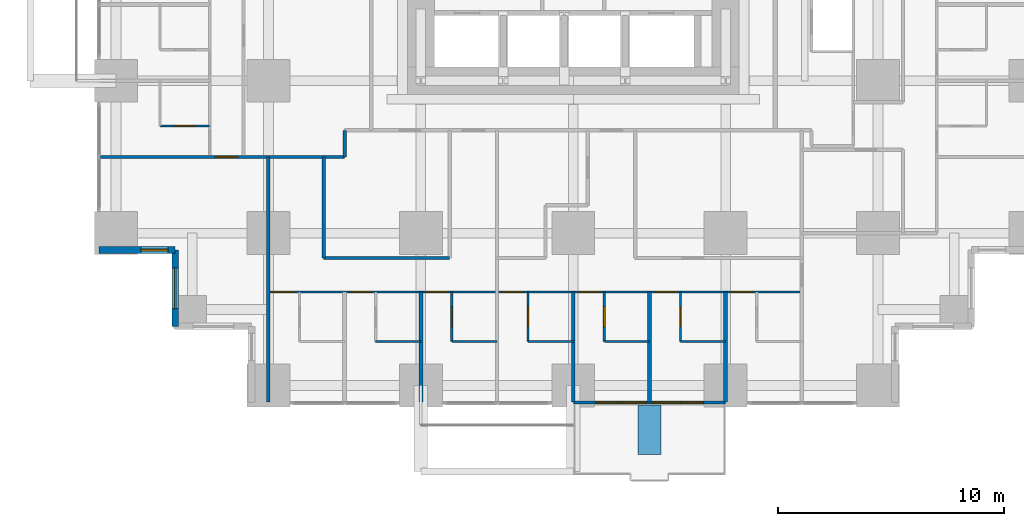
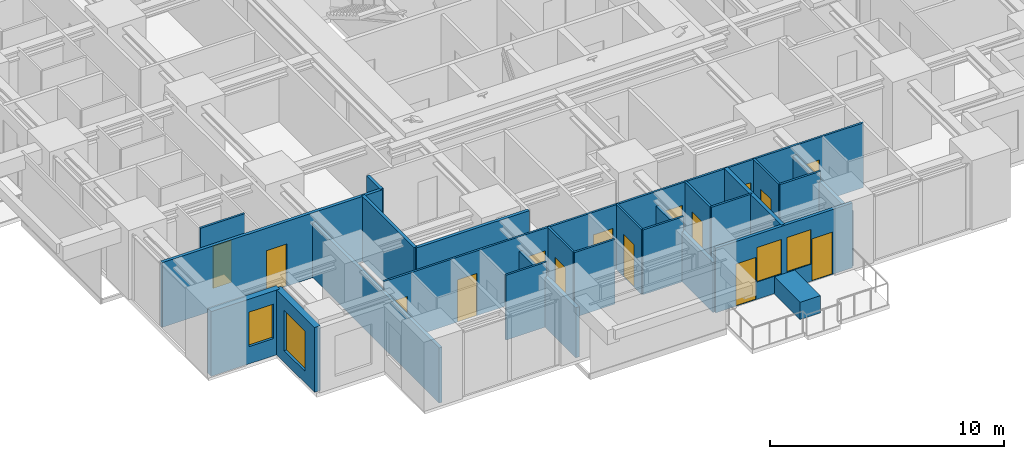
# One storey, part 8 of 15: 24 walls, 15 doors, 4 windows, 19 openings.
"""IFC4 building model written with IfcOpenShell, lengths in metres."""

from ifc_helpers import new_model, si_unit, direction, frame, frame_2d, origin, place, context, subcontext, project, spatial, rectangle, extrude, material, layer, layer_set, type_object, element, fill, save


model = new_model("IFC4")

# Units and contexts
model_context = context("Model", 3, precision=1e-05, world=origin(), true_north=direction((0.0, 1.0)))
body_context = subcontext(model_context, "Body", "Model", "MODEL_VIEW")
ifc_project = project(units=[si_unit("LENGTHUNIT", "METRE"), si_unit("AREAUNIT", "SQUARE_METRE"), si_unit("VOLUMEUNIT", "CUBIC_METRE"), si_unit("PLANEANGLEUNIT", "RADIAN"), si_unit("MASSUNIT", "GRAM", prefix="KILO")], contexts=[model_context])

# Site, building, storey
site_placement = place(None, origin())
site = spatial("IfcSite", under=ifc_project, at=site_placement, CompositionType="ELEMENT")
building_placement = place(site_placement, origin())
building = spatial("IfcBuilding", under=site, at=building_placement, Name="Nyansa Garden Tower", CompositionType="ELEMENT")
storey_placement = place(building_placement, frame((0.0, 0.0, 36.0)))
storey = spatial("IfcBuildingStorey", under=building, at=storey_placement, Name="L09", CompositionType="ELEMENT", Elevation=36.0)

# Walls
ifc_material_1 = material(Name="Dense blockwork, plastered both sides, 55 dB", Category="masonry")
ifc_layer_1 = layer(ifc_material_1, 0.175048828125)
ifc_layer_set_1 = layer_set([ifc_layer_1], Name="Acoustic party wall PW175")
wall_type_1 = type_object("IfcWallType", Name="Acoustic party wall PW175", PredefinedType="PARTITIONING", material=ifc_layer_set_1)
for number, where, z_axis, x_axis, name in (
    (1, (13.5, -0.73388671875, 0.0), (0.0, 0.0, 1.0), (0.0, 1.0, 0.0), "Party wall"),
    (2, (20.25, -0.73388671875, 0.0), (0.0, 0.0, 1.0), (0.0, 1.0, 0.0), "Party wall"),
):
    element("IfcWall", number, at=place(storey_placement, frame(where, z_axis=z_axis, x_axis=x_axis)), inside=storey, type_object=wall_type_1, Name=name, PredefinedType="PARTITIONING", context=body_context, shape_type="SweptSolid", body=[
        extrude(rectangle(XDim=4.8837890625, YDim=0.175048828125, at=frame_2d((2.44189453125, 0.0))), origin(), (0.0, 0.0, 1.0), 2.610107421875),
    ])
wall_1_placement = place(storey_placement, frame((23.625, -0.73388671875, 0.0), z_axis=(0.0, 0.0, 1.0), x_axis=(0.0, 1.0, 0.0)))
element("IfcWall", 3, at=wall_1_placement, inside=storey, type_object=wall_type_1, Name="Party wall", PredefinedType="PARTITIONING", context=body_context, shape_type="SweptSolid", body=[
    extrude(rectangle(XDim=4.8837890625, YDim=0.175048828125, at=frame_2d((2.44189453125, 0.0))), origin(), (0.0, 0.0, 1.0), 3.375),
])
wall_2_placement = place(storey_placement, frame((27.0, -0.73388671875, 0.0), z_axis=(0.0, 0.0, 1.0), x_axis=(0.0, 1.0, 0.0)))
element("IfcWall", 4, at=wall_2_placement, inside=storey, type_object=wall_type_1, Name="Party wall", PredefinedType="PARTITIONING", context=body_context, shape_type="SweptSolid", body=[
    extrude(rectangle(XDim=4.8837890625, YDim=0.175048828125, at=frame_2d((2.44189453125, 0.0))), origin(), (0.0, 0.0, 1.0), 2.876953125),
])

# Wall, openings, doors, windows
ifc_material_2 = material(Name="Black aluminium framed glazed screen", Category="aluminium")
ifc_layer_2 = layer(ifc_material_2, 0.14990234375)
ifc_layer_set_2 = layer_set([ifc_layer_2], Name="Balcony screen wall BW150")
wall_type_2 = type_object("IfcWallType", Name="Balcony screen wall BW150", PredefinedType="SOLIDWALL", material=ifc_layer_set_2)
wall_3_placement = place(storey_placement, frame((27.0, -0.75, 0.0), z_axis=(0.0, 0.0, 1.0), x_axis=(-1.0, 0.0, 0.0)))
wall_3 = element("IfcWall", 5, at=wall_3_placement, inside=storey, type_object=wall_type_2, Name="Glazed screen wall L09 S", PredefinedType="SOLIDWALL", context=body_context, shape_type="SweptSolid", body=[
    extrude(rectangle(XDim=6.75, YDim=0.14990234375, at=frame_2d((3.375, 0.0))), origin(), (0.0, 0.0, 1.0), 3.375),
])
opening_1_placement = place(wall_3_placement, frame((0.995849609375, 0.0, 0.0)))
opening_1 = element("IfcOpeningElement", 6, at=opening_1_placement, cuts=wall_3, Name="Opening D20", PredefinedType="OPENING", context=body_context, shape_type="SweptSolid", body=[
    extrude(rectangle(XDim=1.0, YDim=2.199951171875, at=frame_2d((0.5, 1.10009765625))), frame((0.0, 0.0849609375, 0.0), z_axis=(0.0, -1.0, 0.0), x_axis=(1.0, 0.0, 0.0)), (0.0, 0.0, 1.0), 0.169921875),
])
opening_2_placement = place(wall_3_placement, frame((2.041748046875, 0.0, 0.89990234375)))
opening_2 = element("IfcOpeningElement", 7, at=opening_2_placement, cuts=wall_3, Name="Opening W6", PredefinedType="OPENING", context=body_context, shape_type="SweptSolid", body=[
    extrude(rectangle(XDim=1.199951171875, YDim=1.800048828125, at=frame_2d((0.60009765625, 0.89990234375))), frame((0.0, 0.0849609375, 0.0), z_axis=(0.0, -1.0, 0.0), x_axis=(1.0, 0.0, 0.0)), (0.0, 0.0, 1.0), 0.169921875),
])
opening_3_placement = place(wall_3_placement, frame((4.754150390625, 0.0, 0.0)))
opening_3 = element("IfcOpeningElement", 8, at=opening_3_placement, cuts=wall_3, Name="Opening D20", PredefinedType="OPENING", context=body_context, shape_type="SweptSolid", body=[
    extrude(rectangle(XDim=1.0, YDim=2.199951171875, at=frame_2d((0.5, 1.10009765625))), frame((0.0, 0.0849609375, 0.0), z_axis=(0.0, -1.0, 0.0), x_axis=(1.0, 0.0, 0.0)), (0.0, 0.0, 1.0), 0.169921875),
])
opening_4_placement = place(wall_3_placement, frame((3.50830078125, 0.0, 0.89990234375)))
opening_4 = element("IfcOpeningElement", 9, at=opening_4_placement, cuts=wall_3, Name="Opening W6", PredefinedType="OPENING", context=body_context, shape_type="SweptSolid", body=[
    extrude(rectangle(XDim=1.199951171875, YDim=1.800048828125, at=frame_2d((0.60009765625, 0.89990234375))), frame((0.0, 0.0849609375, 0.0), z_axis=(0.0, -1.0, 0.0), x_axis=(1.0, 0.0, 0.0)), (0.0, 0.0, 1.0), 0.169921875),
])
ifc_material_3 = material(Name="Black aluminium framed glazed door", Category="aluminium")
door_type_1 = type_object("IfcDoorType", Name="Balcony door D20 1000x2200", OperationType="NOTDEFINED", PredefinedType="DOOR", material=ifc_material_3)
door_1_placement = place(opening_1_placement, origin())
door_1 = element("IfcDoor", 10, at=door_1_placement, inside=storey, type_object=door_type_1, Name="Balcony door L09", OperationType="SINGLE_SWING_LEFT", OverallHeight=2.199951171875, OverallWidth=1.0, PredefinedType="DOOR", context=body_context, shape_type="SweptSolid", body=[
    extrude(rectangle(XDim=1.0, YDim=2.199951171875, at=frame_2d((0.5, 1.10009765625))), frame((0.0, 0.02490234375, 0.0), z_axis=(0.0, -1.0, 0.0), x_axis=(1.0, 0.0, 0.0)), (0.0, 0.0, 1.0), 0.050048828125),
])
fill(opening_1, door_1)
door_2_placement = place(opening_3_placement, origin())
door_2 = element("IfcDoor", 11, at=door_2_placement, inside=storey, type_object=door_type_1, Name="Balcony door L09", OperationType="SINGLE_SWING_RIGHT", OverallHeight=2.199951171875, OverallWidth=1.0, PredefinedType="DOOR", context=body_context, shape_type="SweptSolid", body=[
    extrude(rectangle(XDim=1.0, YDim=2.199951171875, at=frame_2d((0.5, 1.10009765625))), frame((0.0, 0.02490234375, 0.0), z_axis=(0.0, -1.0, 0.0), x_axis=(1.0, 0.0, 0.0)), (0.0, 0.0, 1.0), 0.050048828125),
])
fill(opening_3, door_2)
ifc_material_4 = material(Name="Black aluminium frame, dark tinted double glazing", Category="aluminium")
window_type_1 = type_object("IfcWindowType", Name="Balcony window W6 1200x1800", PartitioningType="SINGLE_PANEL", PredefinedType="WINDOW", material=ifc_material_4)
window_1_placement = place(opening_2_placement, origin())
window_1 = element("IfcWindow", 12, at=window_1_placement, inside=storey, type_object=window_type_1, Name="Window L09", OverallHeight=1.800048828125, OverallWidth=1.199951171875, PartitioningType="SINGLE_PANEL", PredefinedType="WINDOW", context=body_context, shape_type="SweptSolid", body=[
    extrude(rectangle(XDim=1.199951171875, YDim=1.800048828125, at=frame_2d((0.60009765625, 0.89990234375))), frame((0.0, 0.030029296875, 0.0), z_axis=(0.0, -1.0, 0.0), x_axis=(1.0, 0.0, 0.0)), (0.0, 0.0, 1.0), 0.06005859375),
])
fill(opening_2, window_1)
window_2_placement = place(opening_4_placement, origin())
window_2 = element("IfcWindow", 13, at=window_2_placement, inside=storey, type_object=window_type_1, Name="Window L09", OverallHeight=1.800048828125, OverallWidth=1.199951171875, PartitioningType="SINGLE_PANEL", PredefinedType="WINDOW", context=body_context, shape_type="SweptSolid", body=[
    extrude(rectangle(XDim=1.199951171875, YDim=1.800048828125, at=frame_2d((0.60009765625, 0.89990234375))), frame((0.0, 0.030029296875, 0.0), z_axis=(0.0, -1.0, 0.0), x_axis=(1.0, 0.0, 0.0)), (0.0, 0.0, 1.0), 0.06005859375),
])
fill(opening_4, window_2)

# Wall, opening, door
ifc_material_5 = material(Name="Blockwork, plastered both sides", Category="masonry")
ifc_layer_3 = layer(ifc_material_5, 0.14990234375)
ifc_layer_set_3 = layer_set([ifc_layer_3], Name="Partition PW150")
wall_type_3 = type_object("IfcWallType", Name="Partition PW150", PredefinedType="PARTITIONING", material=ifc_layer_set_3)
wall_4_placement = place(storey_placement, frame((-0.73388671875, 10.125, 0.0), z_axis=(0.0, 0.0, 1.0), x_axis=(1.0, 0.0, 0.0)))
wall_4 = element("IfcWall", 14, at=wall_4_placement, inside=storey, type_object=wall_type_3, Name="Partition", PredefinedType="PARTITIONING", context=body_context, shape_type="SweptSolid", body=[
    extrude(rectangle(XDim=10.85888671875, YDim=0.14990234375, at=frame_2d((5.429443359375, 0.0))), origin(), (0.0, 0.0, 1.0), 3.375),
])
opening_5_placement = place(wall_4_placement, frame((5.134033203125, 0.0, 0.0)))
opening_5 = element("IfcOpeningElement", 15, at=opening_5_placement, cuts=wall_4, Name="Opening D03", PredefinedType="OPENING", context=body_context, shape_type="SweptSolid", body=[
    extrude(rectangle(XDim=1.0, YDim=2.199951171875, at=frame_2d((0.5, 1.10009765625))), frame((0.0, 0.0849609375, 0.0), z_axis=(0.0, -1.0, 0.0), x_axis=(1.0, 0.0, 0.0)), (0.0, 0.0, 1.0), 0.169921875),
])
ifc_material_6 = material(Name="Timber flush door, 60 minute fire resisting", Category="wood")
door_type_2 = type_object("IfcDoorType", Name="Cluster entrance door D03 1000x2200", OperationType="SINGLE_SWING_LEFT", PredefinedType="DOOR", material=ifc_material_6)
door_3_placement = place(opening_5_placement, origin())
door_3 = element("IfcDoor", 16, at=door_3_placement, inside=storey, type_object=door_type_2, Name="Door L09-018", OperationType="SINGLE_SWING_LEFT", OverallHeight=2.199951171875, OverallWidth=1.0, PredefinedType="DOOR", context=body_context, shape_type="SweptSolid", body=[
    extrude(rectangle(XDim=1.0, YDim=2.199951171875, at=frame_2d((0.5, 1.10009765625))), frame((0.0, 0.02490234375, 0.0), z_axis=(0.0, -1.0, 0.0), x_axis=(1.0, 0.0, 0.0)), (0.0, 0.0, 1.0), 0.050048828125),
])
fill(opening_5, door_3)

# Walls
wall_5_placement = place(storey_placement, frame((6.75, -0.73388671875, 0.0), z_axis=(0.0, 0.0, 1.0), x_axis=(0.0, 1.0, 0.0)))
element("IfcWall", 17, at=wall_5_placement, inside=storey, type_object=wall_type_3, Name="Partition", PredefinedType="PARTITIONING", context=body_context, shape_type="SweptSolid", body=[
    extrude(rectangle(XDim=10.85888671875, YDim=0.14990234375, at=frame_2d((5.429443359375, 0.0))), origin(), (0.0, 0.0, 1.0), 2.876953125),
])
wall_6_placement = place(storey_placement, frame((9.199951171875, 5.64990234375, 0.0), z_axis=(0.0, 0.0, 1.0), x_axis=(0.0, 1.0, 0.0)))
element("IfcWall", 18, at=wall_6_placement, inside=storey, type_object=wall_type_3, Name="Partition", PredefinedType="PARTITIONING", context=body_context, shape_type="SweptSolid", body=[
    extrude(rectangle(XDim=4.47509765625, YDim=0.14990234375, at=frame_2d((2.237548828125, 0.0))), origin(), (0.0, 0.0, 1.0), 3.375),
])
wall_7_placement = place(storey_placement, frame((9.199951171875, 5.64990234375, 0.0), z_axis=(0.0, 0.0, 1.0), x_axis=(1.0, 0.0, 0.0)))
element("IfcWall", 19, at=wall_7_placement, inside=storey, type_object=wall_type_3, Name="Partition", PredefinedType="PARTITIONING", context=body_context, shape_type="SweptSolid", body=[
    extrude(rectangle(XDim=5.574951171875, YDim=0.14990234375, at=frame_2d((2.78759765625, 0.0))), origin(), (0.0, 0.0, 1.0), 3.375),
])
wall_8_placement = place(storey_placement, frame((10.125, 10.125, 0.0), z_axis=(0.0, 0.0, 1.0), x_axis=(0.0, 1.0, 0.0)))
element("IfcWall", 20, at=wall_8_placement, inside=storey, type_object=wall_type_3, Name="Partition", PredefinedType="PARTITIONING", context=body_context, shape_type="SweptSolid", body=[
    extrude(rectangle(XDim=1.175048828125, YDim=0.14990234375, at=frame_2d((0.58740234375, 0.0))), origin(), (0.0, 0.0, 1.0), 3.375),
])

# Wall, opening, window
ifc_material_7 = material(Name="Turquoise glazed tile on concrete blockwork", Category="masonry")
ifc_layer_4 = layer(ifc_material_7, 0.300048828125)
ifc_layer_set_4 = layer_set([ifc_layer_4], Name="Tiled corner wall TW300")
wall_type_4 = type_object("IfcWallType", Name="Tiled corner wall TW300", PredefinedType="SOLIDWALL", material=ifc_layer_set_4)
wall_9_placement = place(storey_placement, frame((-0.75, 6.0, 0.0), z_axis=(0.0, 0.0, 1.0), x_axis=(1.0, 0.0, 0.0)))
wall_9 = element("IfcWall", 21, at=wall_9_placement, inside=storey, type_object=wall_type_4, Name="Tiled corner wall L09", PredefinedType="SOLIDWALL", context=body_context, shape_type="SweptSolid", body=[
    extrude(rectangle(XDim=3.375, YDim=0.300048828125, at=frame_2d((1.6875, 0.0))), origin(), (0.0, 0.0, 1.0), 3.375),
])
opening_6_placement = place(wall_9_placement, frame((1.857421875, 0.0, 0.89990234375)))
opening_6 = element("IfcOpeningElement", 22, at=opening_6_placement, cuts=wall_9, Name="Opening W4", PredefinedType="OPENING", context=body_context, shape_type="SweptSolid", body=[
    extrude(rectangle(XDim=1.199951171875, YDim=1.800048828125, at=frame_2d((0.60009765625, 0.89990234375))), frame((0.0, 0.159912109375, 0.0), z_axis=(0.0, -1.0, 0.0), x_axis=(1.0, 0.0, 0.0)), (0.0, 0.0, 1.0), 0.320068359375),
])
ifc_material_8 = material(Name="Black aluminium frame, dark tinted double glazing", Category="aluminium")
window_type_2 = type_object("IfcWindowType", Name="Window W4 1200x1800", PartitioningType="SINGLE_PANEL", PredefinedType="WINDOW", material=ifc_material_8)
window_3_placement = place(opening_6_placement, origin())
window_3 = element("IfcWindow", 23, at=window_3_placement, inside=storey, type_object=window_type_2, Name="Corner window L09", OverallHeight=1.800048828125, OverallWidth=1.199951171875, PartitioningType="SINGLE_PANEL", PredefinedType="WINDOW", context=body_context, shape_type="SweptSolid", body=[
    extrude(rectangle(XDim=1.199951171875, YDim=1.800048828125, at=frame_2d((0.60009765625, 0.89990234375))), frame((0.0, 0.030029296875, 0.0), z_axis=(0.0, -1.0, 0.0), x_axis=(1.0, 0.0, 0.0)), (0.0, 0.0, 1.0), 0.06005859375),
])
fill(opening_6, window_3)

wall_10_placement = place(storey_placement, frame((2.625, 6.0, 0.0), z_axis=(0.0, 0.0, 1.0), x_axis=(0.0, -1.0, 0.0)))
wall_10 = element("IfcWall", 24, at=wall_10_placement, inside=storey, type_object=wall_type_4, Name="Tiled corner wall L09", PredefinedType="SOLIDWALL", context=body_context, shape_type="SweptSolid", body=[
    extrude(rectangle(XDim=3.375, YDim=0.300048828125, at=frame_2d((1.6875, 0.0))), origin(), (0.0, 0.0, 1.0), 3.375),
])
opening_7_placement = place(wall_10_placement, frame((0.78759765625, 0.0, 0.60009765625)))
opening_7 = element("IfcOpeningElement", 25, at=opening_7_placement, cuts=wall_10, Name="Opening W2", PredefinedType="OPENING", context=body_context, shape_type="SweptSolid", body=[
    extrude(rectangle(XDim=1.800048828125, YDim=2.10009765625, at=frame_2d((0.89990234375, 1.050048828125))), frame((0.0, 0.159912109375, 0.0), z_axis=(0.0, -1.0, 0.0), x_axis=(1.0, 0.0, 0.0)), (0.0, 0.0, 1.0), 0.320068359375),
])
ifc_material_9 = material(Name="Black aluminium frame, dark tinted double glazing", Category="aluminium")
window_type_3 = type_object("IfcWindowType", Name="Window W2 1800x2100", PartitioningType="SINGLE_PANEL", PredefinedType="WINDOW", material=ifc_material_9)
window_4_placement = place(opening_7_placement, origin())
window_4 = element("IfcWindow", 26, at=window_4_placement, inside=storey, type_object=window_type_3, Name="Corner window L09", OverallHeight=2.10009765625, OverallWidth=1.800048828125, PartitioningType="SINGLE_PANEL", PredefinedType="WINDOW", context=body_context, shape_type="SweptSolid", body=[
    extrude(rectangle(XDim=1.800048828125, YDim=2.10009765625, at=frame_2d((0.89990234375, 1.050048828125))), frame((0.0, 0.030029296875, 0.0), z_axis=(0.0, -1.0, 0.0), x_axis=(1.0, 0.0, 0.0)), (0.0, 0.0, 1.0), 0.06005859375),
])
fill(opening_7, window_4)

# Wall
ifc_material_10 = material(Name="Concrete C40/50 planter, waterproofed", Category="concrete")
ifc_layer_5 = layer(ifc_material_10, 1.0)
ifc_layer_set_5 = layer_set([ifc_layer_5], Name="Tree planter TP1")
wall_type_5 = type_object("IfcWallType", Name="Tree planter TP1", PredefinedType="USERDEFINED", material=ifc_layer_set_5)
wall_11_placement = place(storey_placement, frame((23.625, -0.85009765625, 0.0), z_axis=(0.0, 0.0, 1.0), x_axis=(0.0, -1.0, 0.0)))
element("IfcWall", 27, at=wall_11_placement, inside=storey, type_object=wall_type_5, Name="Tree planter L09", ObjectType="TREE PLANTER", PredefinedType="USERDEFINED", context=body_context, shape_type="SweptSolid", body=[
    extrude(rectangle(XDim=2.199951171875, YDim=1.0, at=frame_2d((1.10009765625, 0.0))), origin(), (0.0, 0.0, 1.0), 0.89990234375),
])

# Wall, opening, door
ifc_material_11 = material(Name="Moisture resistant board on steel studs, tiled", Category="steel")
ifc_layer_6 = layer(ifc_material_11, 0.10009765625)
ifc_layer_set_6 = layer_set([ifc_layer_6], Name="Wet wall PW100")
wall_type_6 = type_object("IfcWallType", Name="Wet wall PW100", PredefinedType="PARTITIONING", material=ifc_layer_set_6)
wall_12_placement = place(storey_placement, frame((1.949951171875, 11.5, 0.0), z_axis=(0.0, 0.0, 1.0), x_axis=(1.0, 0.0, 0.0)))
wall_12 = element("IfcWall", 28, at=wall_12_placement, inside=storey, type_object=wall_type_6, Name="Wet wall", PredefinedType="PARTITIONING", context=body_context, shape_type="SweptSolid", body=[
    extrude(rectangle(XDim=2.199951171875, YDim=0.10009765625, at=frame_2d((1.10009765625, 0.0))), origin(), (0.0, 0.0, 1.0), 3.375),
])
opening_8_placement = place(wall_12_placement, frame((0.64990234375, 0.0, 0.0)))
opening_8 = element("IfcOpeningElement", 29, at=opening_8_placement, cuts=wall_12, Name="Opening D02", PredefinedType="OPENING", context=body_context, shape_type="SweptSolid", body=[
    extrude(rectangle(XDim=0.89990234375, YDim=2.199951171875, at=frame_2d((0.449951171875, 1.10009765625))), frame((0.0, 0.06005859375, 0.0), z_axis=(0.0, -1.0, 0.0), x_axis=(1.0, 0.0, 0.0)), (0.0, 0.0, 1.0), 0.1201171875),
])
ifc_material_12 = material(Name="Timber flush door", Category="wood")
door_type_3 = type_object("IfcDoorType", Name="En-suite door D02 900x2200", OperationType="SINGLE_SWING_RIGHT", PredefinedType="DOOR", material=ifc_material_12)
door_4_placement = place(opening_8_placement, origin())
door_4 = element("IfcDoor", 30, at=door_4_placement, inside=storey, type_object=door_type_3, Name="Door L09-071", OperationType="SINGLE_SWING_RIGHT", OverallHeight=2.199951171875, OverallWidth=0.89990234375, PredefinedType="DOOR", context=body_context, shape_type="SweptSolid", body=[
    extrude(rectangle(XDim=0.89990234375, YDim=2.199951171875, at=frame_2d((0.449951171875, 1.10009765625))), frame((0.0, 0.02490234375, 0.0), z_axis=(0.0, -1.0, 0.0), x_axis=(1.0, 0.0, 0.0)), (0.0, 0.0, 1.0), 0.050048828125),
])
fill(opening_8, door_4)

# Wall, openings, doors
wall_13_placement = place(storey_placement, frame((6.75, 4.14990234375, 0.0), z_axis=(0.0, 0.0, 1.0), x_axis=(1.0, 0.0, 0.0)))
wall_13 = element("IfcWall", 31, at=wall_13_placement, inside=storey, type_object=wall_type_6, Name="Wet wall", PredefinedType="PARTITIONING", context=body_context, shape_type="SweptSolid", body=[
    extrude(rectangle(XDim=23.625, YDim=0.10009765625, at=frame_2d((11.8125, 0.0))), origin(), (0.0, 0.0, 1.0), 3.375),
])
opening_9_placement = place(wall_13_placement, frame((0.199951171875, 0.0, 0.0)))
opening_9 = element("IfcOpeningElement", 32, at=opening_9_placement, cuts=wall_13, Name="Opening D01", PredefinedType="OPENING", context=body_context, shape_type="SweptSolid", body=[
    extrude(rectangle(XDim=0.949951171875, YDim=2.199951171875, at=frame_2d((0.47509765625, 1.10009765625))), frame((0.0, 0.06005859375, 0.0), z_axis=(0.0, -1.0, 0.0), x_axis=(1.0, 0.0, 0.0)), (0.0, 0.0, 1.0), 0.1201171875),
])
opening_10_placement = place(wall_13_placement, frame((3.625, 0.0, 0.0)))
opening_10 = element("IfcOpeningElement", 33, at=opening_10_placement, cuts=wall_13, Name="Opening D01", PredefinedType="OPENING", context=body_context, shape_type="SweptSolid", body=[
    extrude(rectangle(XDim=0.949951171875, YDim=2.199951171875, at=frame_2d((0.47509765625, 1.10009765625))), frame((0.0, 0.06005859375, 0.0), z_axis=(0.0, -1.0, 0.0), x_axis=(1.0, 0.0, 0.0)), (0.0, 0.0, 1.0), 0.1201171875),
])
opening_11_placement = place(wall_13_placement, frame((7.0, 0.0, 0.0)))
opening_11 = element("IfcOpeningElement", 34, at=opening_11_placement, cuts=wall_13, Name="Opening D01", PredefinedType="OPENING", context=body_context, shape_type="SweptSolid", body=[
    extrude(rectangle(XDim=0.949951171875, YDim=2.199951171875, at=frame_2d((0.47509765625, 1.10009765625))), frame((0.0, 0.06005859375, 0.0), z_axis=(0.0, -1.0, 0.0), x_axis=(1.0, 0.0, 0.0)), (0.0, 0.0, 1.0), 0.1201171875),
])
opening_12_placement = place(wall_13_placement, frame((10.324951171875, 0.0, 0.0)))
opening_12 = element("IfcOpeningElement", 35, at=opening_12_placement, cuts=wall_13, Name="Opening D14", PredefinedType="OPENING", context=body_context, shape_type="SweptSolid", body=[
    extrude(rectangle(XDim=0.949951171875, YDim=2.199951171875, at=frame_2d((0.47509765625, 1.10009765625))), frame((0.0, 0.06005859375, 0.0), z_axis=(0.0, -1.0, 0.0), x_axis=(1.0, 0.0, 0.0)), (0.0, 0.0, 1.0), 0.1201171875),
])
opening_13_placement = place(wall_13_placement, frame((13.75, 0.0, 0.0)))
opening_13 = element("IfcOpeningElement", 36, at=opening_13_placement, cuts=wall_13, Name="Opening D14", PredefinedType="OPENING", context=body_context, shape_type="SweptSolid", body=[
    extrude(rectangle(XDim=0.949951171875, YDim=2.199951171875, at=frame_2d((0.47509765625, 1.10009765625))), frame((0.0, 0.06005859375, 0.0), z_axis=(0.0, -1.0, 0.0), x_axis=(1.0, 0.0, 0.0)), (0.0, 0.0, 1.0), 0.1201171875),
])
opening_14_placement = place(wall_13_placement, frame((17.125, 0.0, 0.0)))
opening_14 = element("IfcOpeningElement", 37, at=opening_14_placement, cuts=wall_13, Name="Opening D14", PredefinedType="OPENING", context=body_context, shape_type="SweptSolid", body=[
    extrude(rectangle(XDim=0.949951171875, YDim=2.199951171875, at=frame_2d((0.47509765625, 1.10009765625))), frame((0.0, 0.06005859375, 0.0), z_axis=(0.0, -1.0, 0.0), x_axis=(1.0, 0.0, 0.0)), (0.0, 0.0, 1.0), 0.1201171875),
])
opening_15_placement = place(wall_13_placement, frame((20.5, 0.0, 0.0)))
opening_15 = element("IfcOpeningElement", 38, at=opening_15_placement, cuts=wall_13, Name="Opening D14", PredefinedType="OPENING", context=body_context, shape_type="SweptSolid", body=[
    extrude(rectangle(XDim=0.949951171875, YDim=2.199951171875, at=frame_2d((0.47509765625, 1.10009765625))), frame((0.0, 0.06005859375, 0.0), z_axis=(0.0, -1.0, 0.0), x_axis=(1.0, 0.0, 0.0)), (0.0, 0.0, 1.0), 0.1201171875),
])
ifc_material_13 = material(Name="Timber flush door, 30 minute fire resisting", Category="wood")
door_type_4 = type_object("IfcDoorType", Name="Bedroom door D01 950x2200", OperationType="SINGLE_SWING_LEFT", PredefinedType="DOOR", material=ifc_material_13)
door_5_placement = place(opening_9_placement, origin())
door_5 = element("IfcDoor", 39, at=door_5_placement, inside=storey, type_object=door_type_4, Name="Door L09-019", OperationType="SINGLE_SWING_LEFT", OverallHeight=2.199951171875, OverallWidth=0.949951171875, PredefinedType="DOOR", context=body_context, shape_type="SweptSolid", body=[
    extrude(rectangle(XDim=0.949951171875, YDim=2.199951171875, at=frame_2d((0.47509765625, 1.10009765625))), frame((0.0, 0.02490234375, 0.0), z_axis=(0.0, -1.0, 0.0), x_axis=(1.0, 0.0, 0.0)), (0.0, 0.0, 1.0), 0.050048828125),
])
fill(opening_9, door_5)
door_6_placement = place(opening_10_placement, origin())
door_6 = element("IfcDoor", 40, at=door_6_placement, inside=storey, type_object=door_type_4, Name="Door L09-021", OperationType="SINGLE_SWING_LEFT", OverallHeight=2.199951171875, OverallWidth=0.949951171875, PredefinedType="DOOR", context=body_context, shape_type="SweptSolid", body=[
    extrude(rectangle(XDim=0.949951171875, YDim=2.199951171875, at=frame_2d((0.47509765625, 1.10009765625))), frame((0.0, 0.02490234375, 0.0), z_axis=(0.0, -1.0, 0.0), x_axis=(1.0, 0.0, 0.0)), (0.0, 0.0, 1.0), 0.050048828125),
])
fill(opening_10, door_6)
door_7_placement = place(opening_11_placement, origin())
door_7 = element("IfcDoor", 41, at=door_7_placement, inside=storey, type_object=door_type_4, Name="Door L09-023", OperationType="SINGLE_SWING_LEFT", OverallHeight=2.199951171875, OverallWidth=0.949951171875, PredefinedType="DOOR", context=body_context, shape_type="SweptSolid", body=[
    extrude(rectangle(XDim=0.949951171875, YDim=2.199951171875, at=frame_2d((0.47509765625, 1.10009765625))), frame((0.0, 0.02490234375, 0.0), z_axis=(0.0, -1.0, 0.0), x_axis=(1.0, 0.0, 0.0)), (0.0, 0.0, 1.0), 0.050048828125),
])
fill(opening_11, door_7)
ifc_material_14 = material(Name="Timber flush door, 60 minute fire resisting, self-closing", Category="wood")
door_type_5 = type_object("IfcDoorType", Name="Studio entrance door D14 950x2200", OperationType="SINGLE_SWING_LEFT", PredefinedType="DOOR", material=ifc_material_14)
door_8_placement = place(opening_12_placement, origin())
door_8 = element("IfcDoor", 42, at=door_8_placement, inside=storey, type_object=door_type_5, Name="Door L09-026", OperationType="SINGLE_SWING_LEFT", OverallHeight=2.199951171875, OverallWidth=0.949951171875, PredefinedType="DOOR", context=body_context, shape_type="SweptSolid", body=[
    extrude(rectangle(XDim=0.949951171875, YDim=2.199951171875, at=frame_2d((0.47509765625, 1.10009765625))), frame((0.0, 0.02490234375, 0.0), z_axis=(0.0, -1.0, 0.0), x_axis=(1.0, 0.0, 0.0)), (0.0, 0.0, 1.0), 0.050048828125),
])
fill(opening_12, door_8)
door_9_placement = place(opening_13_placement, origin())
door_9 = element("IfcDoor", 43, at=door_9_placement, inside=storey, type_object=door_type_5, Name="Door L09-028", OperationType="SINGLE_SWING_LEFT", OverallHeight=2.199951171875, OverallWidth=0.949951171875, PredefinedType="DOOR", context=body_context, shape_type="SweptSolid", body=[
    extrude(rectangle(XDim=0.949951171875, YDim=2.199951171875, at=frame_2d((0.47509765625, 1.10009765625))), frame((0.0, 0.02490234375, 0.0), z_axis=(0.0, -1.0, 0.0), x_axis=(1.0, 0.0, 0.0)), (0.0, 0.0, 1.0), 0.050048828125),
])
fill(opening_13, door_9)
door_10_placement = place(opening_14_placement, origin())
door_10 = element("IfcDoor", 44, at=door_10_placement, inside=storey, type_object=door_type_5, Name="Door L09-030", OperationType="SINGLE_SWING_LEFT", OverallHeight=2.199951171875, OverallWidth=0.949951171875, PredefinedType="DOOR", context=body_context, shape_type="SweptSolid", body=[
    extrude(rectangle(XDim=0.949951171875, YDim=2.199951171875, at=frame_2d((0.47509765625, 1.10009765625))), frame((0.0, 0.02490234375, 0.0), z_axis=(0.0, -1.0, 0.0), x_axis=(1.0, 0.0, 0.0)), (0.0, 0.0, 1.0), 0.050048828125),
])
fill(opening_14, door_10)
door_11_placement = place(opening_15_placement, origin())
door_11 = element("IfcDoor", 45, at=door_11_placement, inside=storey, type_object=door_type_5, Name="Door L09-032", OperationType="SINGLE_SWING_LEFT", OverallHeight=2.199951171875, OverallWidth=0.949951171875, PredefinedType="DOOR", context=body_context, shape_type="SweptSolid", body=[
    extrude(rectangle(XDim=0.949951171875, YDim=2.199951171875, at=frame_2d((0.47509765625, 1.10009765625))), frame((0.0, 0.02490234375, 0.0), z_axis=(0.0, -1.0, 0.0), x_axis=(1.0, 0.0, 0.0)), (0.0, 0.0, 1.0), 0.050048828125),
])
fill(opening_15, door_11)

# Wall
wall_14_placement = place(storey_placement, frame((11.5, 1.949951171875, 0.0), z_axis=(0.0, 0.0, 1.0), x_axis=(1.0, 0.0, 0.0)))
element("IfcWall", 46, at=wall_14_placement, inside=storey, type_object=wall_type_6, Name="Wet wall", PredefinedType="PARTITIONING", context=body_context, shape_type="SweptSolid", body=[
    extrude(rectangle(XDim=2.0, YDim=0.10009765625, at=frame_2d((1.0, 0.0))), origin(), (0.0, 0.0, 1.0), 3.375),
])

# Wall, opening, door
wall_15_placement = place(storey_placement, frame((14.875, 1.949951171875, 0.0), z_axis=(0.0, 0.0, 1.0), x_axis=(0.0, 1.0, 0.0)))
wall_15 = element("IfcWall", 47, at=wall_15_placement, inside=storey, type_object=wall_type_6, Name="Wet wall", PredefinedType="PARTITIONING", context=body_context, shape_type="SweptSolid", body=[
    extrude(rectangle(XDim=2.199951171875, YDim=0.10009765625, at=frame_2d((1.10009765625, 0.0))), origin(), (0.0, 0.0, 1.0), 3.375),
])
opening_16_placement = place(wall_15_placement, frame((0.64990234375, 0.0, 0.0)))
opening_16 = element("IfcOpeningElement", 48, at=opening_16_placement, cuts=wall_15, Name="Opening D02", PredefinedType="OPENING", context=body_context, shape_type="SweptSolid", body=[
    extrude(rectangle(XDim=0.89990234375, YDim=2.199951171875, at=frame_2d((0.449951171875, 1.10009765625))), frame((0.0, 0.06005859375, 0.0), z_axis=(0.0, -1.0, 0.0), x_axis=(1.0, 0.0, 0.0)), (0.0, 0.0, 1.0), 0.1201171875),
])
door_12_placement = place(opening_16_placement, origin())
door_12 = element("IfcDoor", 49, at=door_12_placement, inside=storey, type_object=door_type_3, Name="Door L09-024", OperationType="SINGLE_SWING_RIGHT", OverallHeight=2.199951171875, OverallWidth=0.89990234375, PredefinedType="DOOR", context=body_context, shape_type="SweptSolid", body=[
    extrude(rectangle(XDim=0.89990234375, YDim=2.199951171875, at=frame_2d((0.449951171875, 1.10009765625))), frame((0.0, 0.02490234375, 0.0), z_axis=(0.0, -1.0, 0.0), x_axis=(1.0, 0.0, 0.0)), (0.0, 0.0, 1.0), 0.050048828125),
])
fill(opening_16, door_12)

# Wall
wall_16_placement = place(storey_placement, frame((14.875, 1.949951171875, 0.0), z_axis=(0.0, 0.0, 1.0), x_axis=(1.0, 0.0, 0.0)))
element("IfcWall", 50, at=wall_16_placement, inside=storey, type_object=wall_type_6, Name="Wet wall", PredefinedType="PARTITIONING", context=body_context, shape_type="SweptSolid", body=[
    extrude(rectangle(XDim=2.0, YDim=0.10009765625, at=frame_2d((1.0, 0.0))), origin(), (0.0, 0.0, 1.0), 3.375),
])

# Wall, opening, door
wall_17_placement = place(storey_placement, frame((18.25, 1.949951171875, 0.0), z_axis=(0.0, 0.0, 1.0), x_axis=(0.0, 1.0, 0.0)))
wall_17 = element("IfcWall", 51, at=wall_17_placement, inside=storey, type_object=wall_type_6, Name="Wet wall", PredefinedType="PARTITIONING", context=body_context, shape_type="SweptSolid", body=[
    extrude(rectangle(XDim=2.199951171875, YDim=0.10009765625, at=frame_2d((1.10009765625, 0.0))), origin(), (0.0, 0.0, 1.0), 3.375),
])
opening_17_placement = place(wall_17_placement, frame((0.64990234375, 0.0, 0.0)))
opening_17 = element("IfcOpeningElement", 52, at=opening_17_placement, cuts=wall_17, Name="Opening D02", PredefinedType="OPENING", context=body_context, shape_type="SweptSolid", body=[
    extrude(rectangle(XDim=0.89990234375, YDim=2.199951171875, at=frame_2d((0.449951171875, 1.10009765625))), frame((0.0, 0.06005859375, 0.0), z_axis=(0.0, -1.0, 0.0), x_axis=(1.0, 0.0, 0.0)), (0.0, 0.0, 1.0), 0.1201171875),
])
door_13_placement = place(opening_17_placement, origin())
door_13 = element("IfcDoor", 53, at=door_13_placement, inside=storey, type_object=door_type_3, Name="Door L09-027", OperationType="SINGLE_SWING_RIGHT", OverallHeight=2.199951171875, OverallWidth=0.89990234375, PredefinedType="DOOR", context=body_context, shape_type="SweptSolid", body=[
    extrude(rectangle(XDim=0.89990234375, YDim=2.199951171875, at=frame_2d((0.449951171875, 1.10009765625))), frame((0.0, 0.02490234375, 0.0), z_axis=(0.0, -1.0, 0.0), x_axis=(1.0, 0.0, 0.0)), (0.0, 0.0, 1.0), 0.050048828125),
])
fill(opening_17, door_13)

# Wall
wall_18_placement = place(storey_placement, frame((18.25, 1.949951171875, 0.0), z_axis=(0.0, 0.0, 1.0), x_axis=(1.0, 0.0, 0.0)))
element("IfcWall", 54, at=wall_18_placement, inside=storey, type_object=wall_type_6, Name="Wet wall", PredefinedType="PARTITIONING", context=body_context, shape_type="SweptSolid", body=[
    extrude(rectangle(XDim=2.0, YDim=0.10009765625, at=frame_2d((1.0, 0.0))), origin(), (0.0, 0.0, 1.0), 3.375),
])

# Wall, opening, door
wall_19_placement = place(storey_placement, frame((21.625, 1.949951171875, 0.0), z_axis=(0.0, 0.0, 1.0), x_axis=(0.0, 1.0, 0.0)))
wall_19 = element("IfcWall", 55, at=wall_19_placement, inside=storey, type_object=wall_type_6, Name="Wet wall", PredefinedType="PARTITIONING", context=body_context, shape_type="SweptSolid", body=[
    extrude(rectangle(XDim=2.199951171875, YDim=0.10009765625, at=frame_2d((1.10009765625, 0.0))), origin(), (0.0, 0.0, 1.0), 3.375),
])
opening_18_placement = place(wall_19_placement, frame((0.64990234375, 0.0, 0.0)))
opening_18 = element("IfcOpeningElement", 56, at=opening_18_placement, cuts=wall_19, Name="Opening D02", PredefinedType="OPENING", context=body_context, shape_type="SweptSolid", body=[
    extrude(rectangle(XDim=0.89990234375, YDim=2.199951171875, at=frame_2d((0.449951171875, 1.10009765625))), frame((0.0, 0.06005859375, 0.0), z_axis=(0.0, -1.0, 0.0), x_axis=(1.0, 0.0, 0.0)), (0.0, 0.0, 1.0), 0.1201171875),
])
door_14_placement = place(opening_18_placement, origin())
door_14 = element("IfcDoor", 57, at=door_14_placement, inside=storey, type_object=door_type_3, Name="Door L09-029", OperationType="SINGLE_SWING_RIGHT", OverallHeight=2.199951171875, OverallWidth=0.89990234375, PredefinedType="DOOR", context=body_context, shape_type="SweptSolid", body=[
    extrude(rectangle(XDim=0.89990234375, YDim=2.199951171875, at=frame_2d((0.449951171875, 1.10009765625))), frame((0.0, 0.02490234375, 0.0), z_axis=(0.0, -1.0, 0.0), x_axis=(1.0, 0.0, 0.0)), (0.0, 0.0, 1.0), 0.050048828125),
])
fill(opening_18, door_14)

# Wall
wall_20_placement = place(storey_placement, frame((21.625, 1.949951171875, 0.0), z_axis=(0.0, 0.0, 1.0), x_axis=(1.0, 0.0, 0.0)))
element("IfcWall", 58, at=wall_20_placement, inside=storey, type_object=wall_type_6, Name="Wet wall", PredefinedType="PARTITIONING", context=body_context, shape_type="SweptSolid", body=[
    extrude(rectangle(XDim=2.0, YDim=0.10009765625, at=frame_2d((1.0, 0.0))), origin(), (0.0, 0.0, 1.0), 3.375),
])

# Wall, opening, door
wall_21_placement = place(storey_placement, frame((25.0, 1.949951171875, 0.0), z_axis=(0.0, 0.0, 1.0), x_axis=(0.0, 1.0, 0.0)))
wall_21 = element("IfcWall", 59, at=wall_21_placement, inside=storey, type_object=wall_type_6, Name="Wet wall", PredefinedType="PARTITIONING", context=body_context, shape_type="SweptSolid", body=[
    extrude(rectangle(XDim=2.199951171875, YDim=0.10009765625, at=frame_2d((1.10009765625, 0.0))), origin(), (0.0, 0.0, 1.0), 3.375),
])
opening_19_placement = place(wall_21_placement, frame((0.64990234375, 0.0, 0.0)))
opening_19 = element("IfcOpeningElement", 60, at=opening_19_placement, cuts=wall_21, Name="Opening D02", PredefinedType="OPENING", context=body_context, shape_type="SweptSolid", body=[
    extrude(rectangle(XDim=0.89990234375, YDim=2.199951171875, at=frame_2d((0.449951171875, 1.10009765625))), frame((0.0, 0.06005859375, 0.0), z_axis=(0.0, -1.0, 0.0), x_axis=(1.0, 0.0, 0.0)), (0.0, 0.0, 1.0), 0.1201171875),
])
door_15_placement = place(opening_19_placement, origin())
door_15 = element("IfcDoor", 61, at=door_15_placement, inside=storey, type_object=door_type_3, Name="Door L09-031", OperationType="SINGLE_SWING_RIGHT", OverallHeight=2.199951171875, OverallWidth=0.89990234375, PredefinedType="DOOR", context=body_context, shape_type="SweptSolid", body=[
    extrude(rectangle(XDim=0.89990234375, YDim=2.199951171875, at=frame_2d((0.449951171875, 1.10009765625))), frame((0.0, 0.02490234375, 0.0), z_axis=(0.0, -1.0, 0.0), x_axis=(1.0, 0.0, 0.0)), (0.0, 0.0, 1.0), 0.050048828125),
])
fill(opening_19, door_15)

# Wall
wall_22_placement = place(storey_placement, frame((25.0, 1.949951171875, 0.0), z_axis=(0.0, 0.0, 1.0), x_axis=(1.0, 0.0, 0.0)))
element("IfcWall", 62, at=wall_22_placement, inside=storey, type_object=wall_type_6, Name="Wet wall", PredefinedType="PARTITIONING", context=body_context, shape_type="SweptSolid", body=[
    extrude(rectangle(XDim=2.0, YDim=0.10009765625, at=frame_2d((1.0, 0.0))), origin(), (0.0, 0.0, 1.0), 3.375),
])

save(model, "model.ifc")
